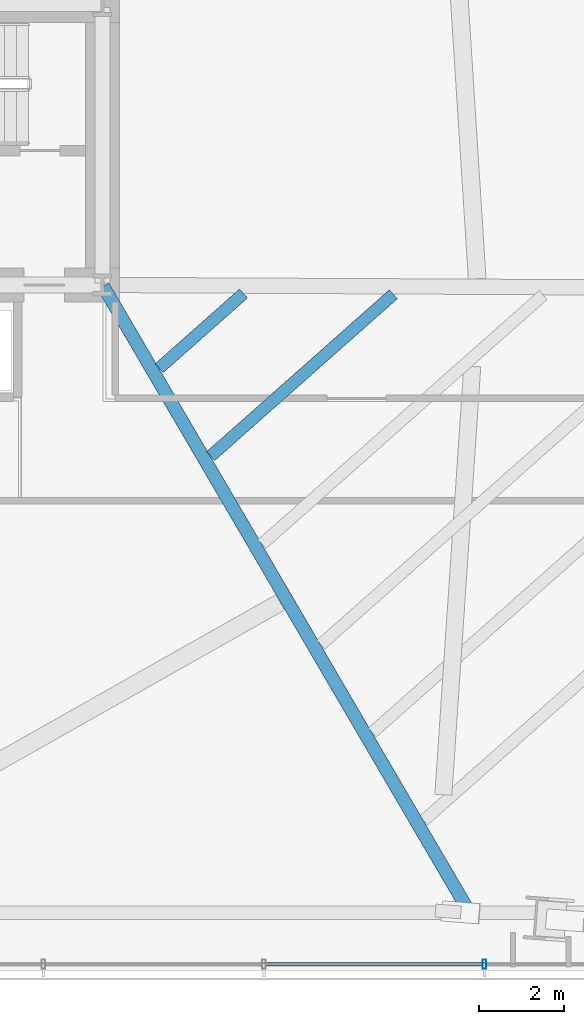
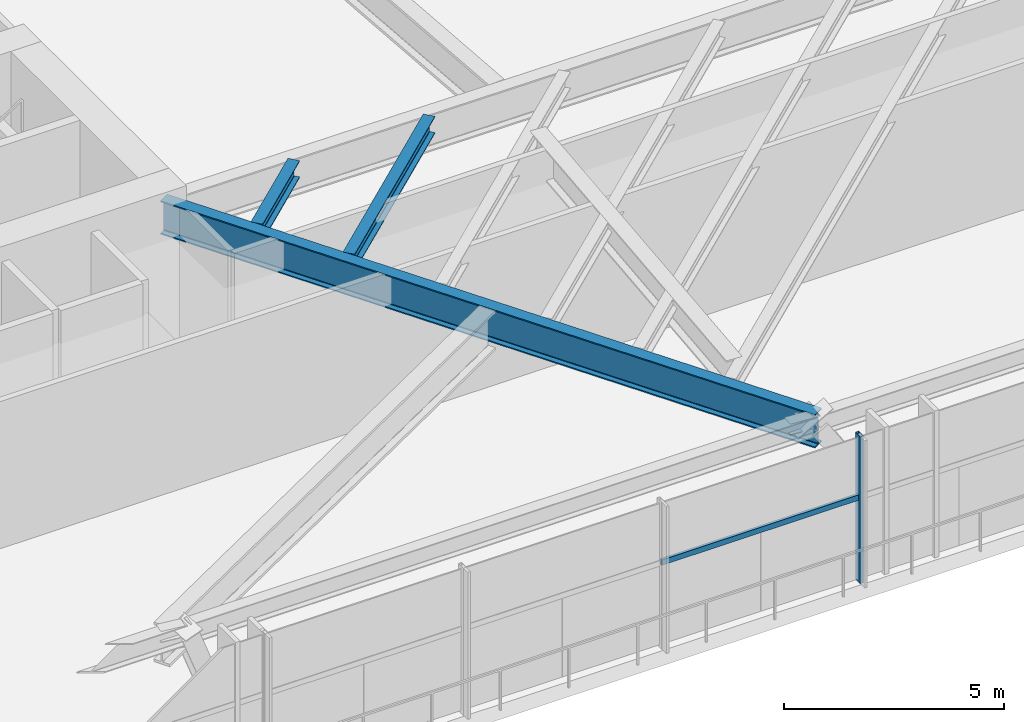
# One storey, part 13 of 33: 3 beams, 2 members, 1 element without a shape of its own.
"""IFC4 building model written with IfcOpenShell, lengths in metres."""

from ifc_helpers import new_model, si_unit, direction, frame, origin, origin_2d, place, context, subcontext, project, spatial, hollow_rectangle, i_section, extrude, source, transform, mapped, material, material_profile, profile_set, type_object, type_shapes, element, aggregate, save


model = new_model("IFC4")

# Units and contexts
model_context = context("Model", 3, precision=1e-05, world=origin(), true_north=direction((0.0, 1.0)))
body_context = subcontext(model_context, "Body", "Model", "MODEL_VIEW")
ifc_project = project(units=[si_unit("LENGTHUNIT", "METRE"), si_unit("AREAUNIT", "SQUARE_METRE"), si_unit("VOLUMEUNIT", "CUBIC_METRE"), si_unit("PLANEANGLEUNIT", "RADIAN"), si_unit("MASSUNIT", "GRAM", prefix="KILO")], contexts=[model_context])

# Site, building, storey
site_placement = place(None, origin())
site = spatial("IfcSite", under=ifc_project, at=site_placement, CompositionType="ELEMENT")
building_placement = place(site_placement, origin())
building = spatial("IfcBuilding", under=site, at=building_placement, Name="Astriad Promenade Condominiums", CompositionType="ELEMENT")
storey_placement = place(building_placement, frame((0.0, 0.0, 9.5)))
storey = spatial("IfcBuildingStorey", under=building, at=storey_placement, Name="L02", CompositionType="ELEMENT", Elevation=9.5)

# Beams
ifc_material_1 = material(Name="Steel ASTM A992 Grade 50", Category="steel")
ifc_material_profile_1 = material_profile(ifc_material_1, i_section(OverallWidth=0.307861328125, OverallDepth=0.9267578125, WebThickness=0.019287109375, FlangeThickness=0.031982421875, FilletRadius=0.024169921875, at=origin_2d()), Name="W36X194")
ifc_profile_set_1 = profile_set([ifc_material_profile_1], Name="Steel ASTM A992 Grade 50")
beam_type_1 = type_object("IfcBeamType", Name="STEEL PRIMARY GIRDER W36X194", PredefinedType="BEAM", material=ifc_profile_set_1)
shared_shape_1 = source(origin(), body_context, "Body", "SweptSolid", [
    extrude(i_section(OverallWidth=0.307861328125, OverallDepth=0.9267578125, WebThickness=0.019287109375, FlangeThickness=0.031982421875, FilletRadius=0.024169921875, at=origin_2d()), origin(), (0.0, 0.0, 1.0), 17.115966796875),
])
type_shapes(beam_type_1, [shared_shape_1])
beam_1_placement = place(storey_placement, frame((54.262939453125, 2.591796875, 3.61669921875), z_axis=(-0.504953497418, 0.863146549229, 0.0), x_axis=(-0.863146549229, -0.504953497418, 0.0)))
element("IfcBeam", 1, at=beam_1_placement, inside=storey, type_object=beam_type_1, Name="Primary Floor Girder PG-E2-L02", PredefinedType="BEAM", context=body_context, shape_type="MappedRepresentation", body=[
    mapped(shared_shape_1, transform((0.0, 0.0, 0.0), scale=1.0)),
])
ifc_material_profile_2 = material_profile(ifc_material_1, i_section(OverallWidth=0.283203125, OverallDepth=0.47216796875, WebThickness=0.013671875, FlangeThickness=0.022216796875, FilletRadius=0.01513671875, at=origin_2d()), Name="W18X97")
ifc_profile_set_2 = profile_set([ifc_material_profile_2], Name="Steel ASTM A992 Grade 50")
beam_type_2 = type_object("IfcBeamType", Name="STEEL FLOOR JOIST W18X97", PredefinedType="JOIST", material=ifc_profile_set_2)
shared_shape_2 = source(origin(), body_context, "Body", "SweptSolid", [
    extrude(i_section(OverallWidth=0.283203125, OverallDepth=0.47216796875, WebThickness=0.013671875, FlangeThickness=0.022216796875, FilletRadius=0.01513671875, at=origin_2d()), origin(), (0.0, 0.0, 1.0), 5.76708984375),
])
beam_2_placement = place(storey_placement, frame((48.15625, 13.354736328125, 3.843994140625), z_axis=(0.748550357196, 0.663077946203, 0.0), x_axis=(-0.663077946203, 0.748550357196, 0.0)))
element("IfcBeam", 2, at=beam_2_placement, inside=storey, type_object=beam_type_2, Name="Secondary Composite Floor Joist JE1-5-L02", PredefinedType="JOIST", context=body_context, shape_type="MappedRepresentation", body=[
    mapped(shared_shape_2, transform((0.0, 0.0, 0.0), scale=1.0)),
])
shared_shape_3 = source(origin(), body_context, "Body", "SweptSolid", [
    extrude(i_section(OverallWidth=0.283203125, OverallDepth=0.47216796875, WebThickness=0.013671875, FlangeThickness=0.022216796875, FilletRadius=0.01513671875, at=origin_2d()), origin(), (0.0, 0.0, 1.0), 2.65966796875),
])
type_shapes(beam_type_2, [shared_shape_2, shared_shape_3])
beam_3_placement = place(storey_placement, frame((46.940673828125, 15.4326171875, 3.843994140625), z_axis=(0.748502257131, 0.66313224252, 0.0), x_axis=(-0.66313224252, 0.748502257131, 0.0)))
element("IfcBeam", 3, at=beam_3_placement, inside=storey, type_object=beam_type_2, Name="Secondary Composite Floor Joist JE1-6-L02", PredefinedType="JOIST", context=body_context, shape_type="MappedRepresentation", body=[
    mapped(shared_shape_3, transform((0.0, 0.0, 0.0), scale=1.0)),
])

# Curtain wall, members
ifc_material_2 = material(Name="Anodised aluminium Black Dark Glass Unitised", Category="aluminium")
curtain_wall_type = type_object("IfcCurtainWallType", Name="CW-POD-DARK", PredefinedType="USERDEFINED", material=ifc_material_2)
curtain_wall_placement = place(storey_placement, origin())
curtain_wall = element("IfcCurtainWall", 4, at=curtain_wall_placement, inside=storey, type_object=curtain_wall_type, Name="CW-L02-S", ObjectType="UNITISED_CURTAIN_WALL", PredefinedType="USERDEFINED")
ifc_material_3 = material(Name="Anodised aluminium 6063-T6 Black", Category="aluminium")
ifc_material_profile_3 = material_profile(ifc_material_3, hollow_rectangle(XDim=0.0849609375, YDim=0.219970703125, WallThickness=0.0048828125, at=origin_2d()), Name="ALU-MUL-85X220")
ifc_profile_set_3 = profile_set([ifc_material_profile_3], Name="Anodised aluminium 6063-T6 Black")
member_type_1 = type_object("IfcMemberType", Name="MUL-ALU-MUL-85X220", PredefinedType="MULLION", material=ifc_profile_set_3)
shared_shape_4 = source(origin(), body_context, "Body", "SweptSolid", [
    extrude(hollow_rectangle(XDim=0.0849609375, YDim=0.219970703125, WallThickness=0.0048828125, at=origin_2d()), origin(), (0.0, 0.0, 1.0), 4.080078125),
])
type_shapes(member_type_1, [shared_shape_4])
member_1_placement = place(storey_placement, frame((54.625, 1.35009765625, 0.0), z_axis=(0.0, 0.0, 1.0), x_axis=(1.0, 0.0, 0.0)))
member_1 = element("IfcMember", 5, at=member_1_placement, type_object=member_type_1, Name="CW-L02-S-MUL-03", PredefinedType="MULLION", context=body_context, shape_type="MappedRepresentation", body=[
    mapped(shared_shape_4, transform((0.0, 0.0, 0.0), scale=1.0)),
])
ifc_material_profile_4 = material_profile(ifc_material_3, hollow_rectangle(XDim=0.074951171875, YDim=0.14990234375, WallThickness=0.004150390625, at=origin_2d()), Name="ALU-TRN-75X150")
ifc_profile_set_4 = profile_set([ifc_material_profile_4], Name="Anodised aluminium 6063-T6 Black")
member_type_2 = type_object("IfcMemberType", Name="TRN-ALU-TRN-75X150", PredefinedType="USERDEFINED", material=ifc_profile_set_4)
shared_shape_5 = source(origin(), body_context, "Body", "SweptSolid", [
    extrude(hollow_rectangle(XDim=0.074951171875, YDim=0.14990234375, WallThickness=0.004150390625, at=origin_2d()), origin(), (0.0, 0.0, 1.0), 5.208251953125),
])
type_shapes(member_type_2, [shared_shape_5])
member_2_placement = place(storey_placement, frame((54.625, 1.35009765625, 2.35009765625), z_axis=(-1.0, 0.0, 0.0), x_axis=(0.0, -1.0, 0.0)))
member_2 = element("IfcMember", 6, at=member_2_placement, type_object=member_type_2, Name="CW-L02-S-TRN-03-0", ObjectType="TRANSOM", PredefinedType="USERDEFINED", context=body_context, shape_type="MappedRepresentation", body=[
    mapped(shared_shape_5, transform((0.0, 0.0, 0.0), scale=1.0)),
])
aggregate(curtain_wall, [member_1, member_2])

save(model, "model.ifc")
